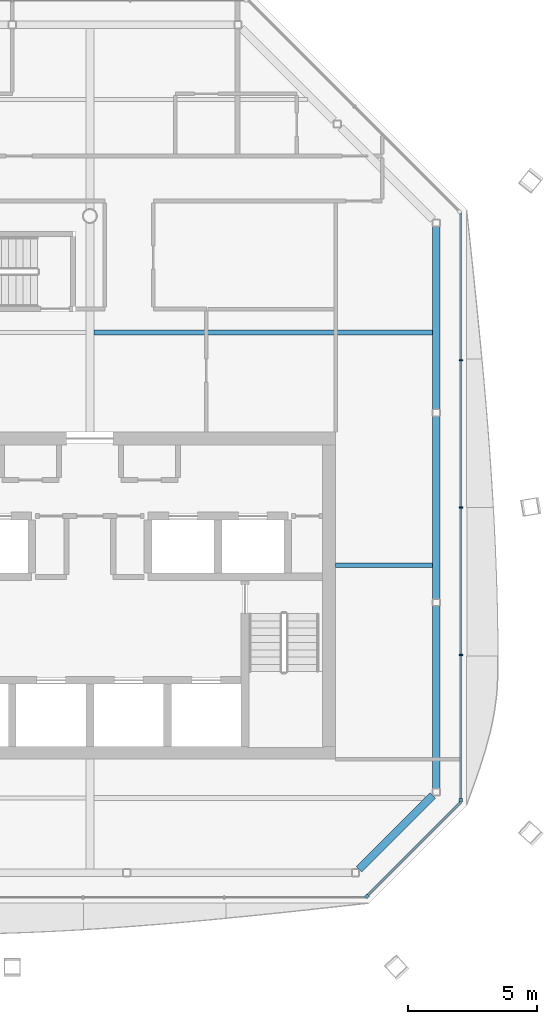
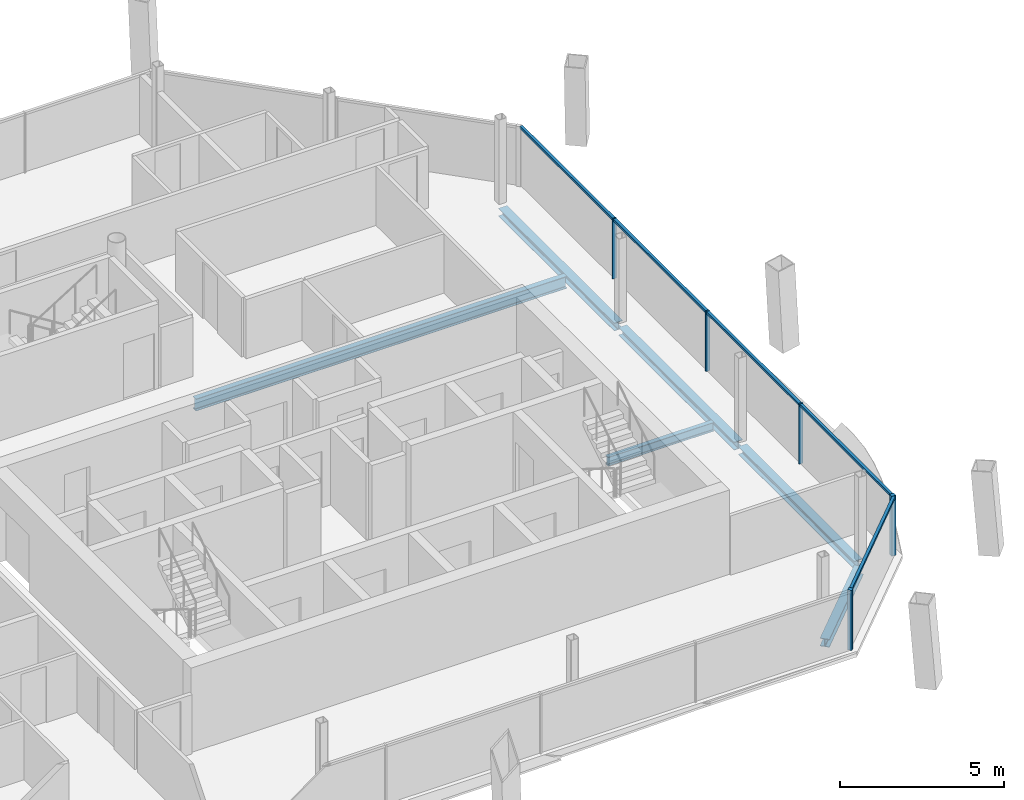
# One storey, part 6 of 16: 10 members, 6 beams, 2 elements without a shape of their own.
"""IFC4 building model written with IfcOpenShell, lengths in metres."""

from ifc_helpers import new_model, si_unit, direction, frame, origin, origin_2d, place, context, subcontext, project, spatial, rectangle, i_section, extrude, material, material_profile, profile_set, type_object, element, aggregate, save


model = new_model("IFC4")

# Units and contexts
model_context = context("Model", 3, precision=1e-05, world=origin(), true_north=direction((0.0, 1.0)))
body_context = subcontext(model_context, "Body", "Model", "MODEL_VIEW")
ifc_project = project(units=[si_unit("LENGTHUNIT", "METRE"), si_unit("AREAUNIT", "SQUARE_METRE"), si_unit("VOLUMEUNIT", "CUBIC_METRE"), si_unit("PLANEANGLEUNIT", "RADIAN"), si_unit("MASSUNIT", "GRAM", prefix="KILO")], contexts=[model_context])

# Site, building, storey
site_placement = place(None, origin())
site = spatial("IfcSite", under=ifc_project, at=site_placement, CompositionType="ELEMENT")
building_placement = place(site_placement, origin())
building = spatial("IfcBuilding", under=site, at=building_placement, Name="Tskaro Facet Tower", CompositionType="ELEMENT")
storey_placement = place(building_placement, frame((0.0, 0.0, 251.85009765625)))
storey = spatial("IfcBuildingStorey", under=building, at=storey_placement, Name="L66", CompositionType="ELEMENT", Elevation=251.85009765625)

# Curtain wall, member
ifc_material_1 = material(Name="Bronze anodised aluminium 6063-T6", Category="aluminium")
curtain_wall_type = type_object("IfcCurtainWallType", Name="Bronze residence curtain wall (FW3)", PredefinedType="NOTDEFINED", material=ifc_material_1)
curtain_wall_1_placement = place(storey_placement, origin())
curtain_wall_1 = element("IfcCurtainWall", 1, at=curtain_wall_1_placement, inside=storey, type_object=curtain_wall_type, Name="FW3 south-east facet L66", PredefinedType="NOTDEFINED")
ifc_material_profile_1 = material_profile(ifc_material_1, rectangle(XDim=0.139892578125, YDim=0.139892578125, at=origin_2d()), Name="Corner post 140x140")
ifc_profile_set_1 = profile_set([ifc_material_profile_1], Name="Bronze anodised aluminium 6063-T6")
member_type_1 = type_object("IfcMemberType", Name="FW3 bronze corner post 140x140", PredefinedType="MULLION", material=ifc_profile_set_1)
member_1_placement = place(storey_placement, frame((10.71044921875, -17.29150390625, 0.0), z_axis=(0.0, 0.0, 1.0), x_axis=(0.707106781187, 0.707106781187, 0.0)))
member_1 = element("IfcMember", 2, at=member_1_placement, type_object=member_type_1, Name="FW3 south-east corner post", PredefinedType="MULLION", context=body_context, shape_type="SweptSolid", body=[
    extrude(rectangle(XDim=0.139892578125, YDim=0.139892578125, at=origin_2d()), origin(), (0.0, 0.0, 1.0), 2.239990234375),
])

# Curtain wall, members
curtain_wall_2_placement = place(storey_placement, origin())
curtain_wall_2 = element("IfcCurtainWall", 3, at=curtain_wall_2_placement, inside=storey, type_object=curtain_wall_type, Name="FW3 east facet L66", PredefinedType="NOTDEFINED")
member_2_placement = place(storey_placement, frame((14.341064453125, -13.591064453125, 0.0), z_axis=(0.0, 0.0, 1.0), x_axis=(0.0, 1.0, 0.0)))
member_2 = element("IfcMember", 4, at=member_2_placement, type_object=member_type_1, Name="FW3 east corner post", PredefinedType="MULLION", context=body_context, shape_type="SweptSolid", body=[
    extrude(rectangle(XDim=0.139892578125, YDim=0.139892578125, at=origin_2d()), origin(), (0.0, 0.0, 1.0), 2.239990234375),
])
ifc_material_profile_2 = material_profile(ifc_material_1, rectangle(XDim=0.050048828125, YDim=0.139892578125, at=origin_2d()), Name="Mullion 50x140")
ifc_profile_set_2 = profile_set([ifc_material_profile_2], Name="Bronze anodised aluminium 6063-T6")
member_type_2 = type_object("IfcMemberType", Name="FW3 bronze mullion 50x140", PredefinedType="MULLION", material=ifc_profile_set_2)
member_3_placement = place(storey_placement, frame((14.341064453125, -7.96630859375, 0.0), z_axis=(0.0, 0.0, 1.0), x_axis=(0.0, 1.0, 0.0)))
member_3 = element("IfcMember", 5, at=member_3_placement, type_object=member_type_2, Name="FW3 east mullion 1", PredefinedType="MULLION", context=body_context, shape_type="SweptSolid", body=[
    extrude(rectangle(XDim=0.050048828125, YDim=0.139892578125, at=origin_2d()), origin(), (0.0, 0.0, 1.0), 2.239990234375),
])
member_4_placement = place(storey_placement, frame((14.341064453125, -2.271484375, 0.0), z_axis=(0.0, 0.0, 1.0), x_axis=(0.0, 1.0, 0.0)))
member_4 = element("IfcMember", 6, at=member_4_placement, type_object=member_type_2, Name="FW3 east mullion 2", PredefinedType="MULLION", context=body_context, shape_type="SweptSolid", body=[
    extrude(rectangle(XDim=0.050048828125, YDim=0.139892578125, at=origin_2d()), origin(), (0.0, 0.0, 1.0), 2.239990234375),
])
member_5_placement = place(storey_placement, frame((14.341064453125, 3.42333984375, 0.0), z_axis=(0.0, 0.0, 1.0), x_axis=(0.0, 1.0, 0.0)))
member_5 = element("IfcMember", 7, at=member_5_placement, type_object=member_type_2, Name="FW3 east mullion 3", PredefinedType="MULLION", context=body_context, shape_type="SweptSolid", body=[
    extrude(rectangle(XDim=0.050048828125, YDim=0.139892578125, at=origin_2d()), origin(), (0.0, 0.0, 1.0), 2.239990234375),
])

# Member
ifc_material_profile_3 = material_profile(ifc_material_1, rectangle(XDim=0.10009765625, YDim=0.090087890625, at=origin_2d()), Name="Transom 100x90")
ifc_profile_set_3 = profile_set([ifc_material_profile_3], Name="Bronze anodised aluminium 6063-T6")
member_type_3 = type_object("IfcMemberType", Name="FW3 bronze transom 100x90", PredefinedType="USERDEFINED", material=ifc_profile_set_3)
member_6_placement = place(storey_placement, frame((10.760009765625, -17.241943359375, 2.19482421875), z_axis=(0.707106781187, 0.707106781187, 0.0), x_axis=(-0.707106781187, 0.707106781187, 0.0)))
member_6 = element("IfcMember", 8, at=member_6_placement, type_object=member_type_3, Name="FW3 south-east transom 1.1", ObjectType="TRANSOM", PredefinedType="USERDEFINED", context=body_context, shape_type="SweptSolid", body=[
    extrude(rectangle(XDim=0.10009765625, YDim=0.090087890625, at=origin_2d()), origin(), (0.0, 0.0, 1.0), 5.064453125),
])

aggregate(curtain_wall_1, [member_1, member_6])

member_7_placement = place(storey_placement, frame((14.341064453125, -13.52099609375, 2.19482421875), z_axis=(0.0, 1.0, 0.0), x_axis=(-1.0, 0.0, 0.0)))
member_7 = element("IfcMember", 9, at=member_7_placement, type_object=member_type_3, Name="FW3 east transom 1.1", ObjectType="TRANSOM", PredefinedType="USERDEFINED", context=body_context, shape_type="SweptSolid", body=[
    extrude(rectangle(XDim=0.10009765625, YDim=0.090087890625, at=origin_2d()), origin(), (0.0, 0.0, 1.0), 5.52978515625),
])

member_8_placement = place(storey_placement, frame((14.341064453125, -7.941162109375, 2.19482421875), z_axis=(0.0, 1.0, 0.0), x_axis=(-1.0, 0.0, 0.0)))
member_8 = element("IfcMember", 10, at=member_8_placement, type_object=member_type_3, Name="FW3 east transom 2.1", ObjectType="TRANSOM", PredefinedType="USERDEFINED", context=body_context, shape_type="SweptSolid", body=[
    extrude(rectangle(XDim=0.10009765625, YDim=0.090087890625, at=origin_2d()), origin(), (0.0, 0.0, 1.0), 5.644775390625),
])

member_9_placement = place(storey_placement, frame((14.341064453125, -2.24658203125, 2.19482421875), z_axis=(0.0, 1.0, 0.0), x_axis=(-1.0, 0.0, 0.0)))
member_9 = element("IfcMember", 11, at=member_9_placement, type_object=member_type_3, Name="FW3 east transom 3.1", ObjectType="TRANSOM", PredefinedType="USERDEFINED", context=body_context, shape_type="SweptSolid", body=[
    extrude(rectangle(XDim=0.10009765625, YDim=0.090087890625, at=origin_2d()), origin(), (0.0, 0.0, 1.0), 5.644775390625),
])

member_10_placement = place(storey_placement, frame((14.341064453125, 3.4482421875, 2.19482421875), z_axis=(0.0, 1.0, 0.0), x_axis=(-1.0, 0.0, 0.0)))
member_10 = element("IfcMember", 12, at=member_10_placement, type_object=member_type_3, Name="FW3 east transom 4.1", ObjectType="TRANSOM", PredefinedType="USERDEFINED", context=body_context, shape_type="SweptSolid", body=[
    extrude(rectangle(XDim=0.10009765625, YDim=0.090087890625, at=origin_2d()), origin(), (0.0, 0.0, 1.0), 5.669677734375),
])

aggregate(curtain_wall_2, [member_2, member_3, member_4, member_5, member_7, member_8, member_9, member_10])

# Beams
ifc_material_2 = material(Name="Steel S355J2", Category="steel")
ifc_material_profile_4 = material_profile(ifc_material_2, i_section(OverallWidth=0.300048828125, OverallDepth=0.300048828125, WebThickness=0.010986328125, FlangeThickness=0.01904296875, FilletRadius=0.027099609375, at=origin_2d()), Name="HE 300 B")
ifc_profile_set_4 = profile_set([ifc_material_profile_4], Name="Steel S355J2")
beam_type_1 = type_object("IfcBeamType", Name="HE 300 B ring beam", PredefinedType="BEAM", material=ifc_profile_set_4)
beam_1_placement = place(storey_placement, frame((10.40380859375, -16.255126953125, -0.2900390625), z_axis=(0.707106781187, 0.707106781187, 0.0), x_axis=(-0.707106781187, 0.707106781187, 0.0)))
element("IfcBeam", 13, at=beam_1_placement, inside=storey, type_object=beam_type_1, Name="HE 300 B EB4-5", PredefinedType="BEAM", context=body_context, shape_type="SweptSolid", body=[
    extrude(i_section(OverallWidth=0.300048828125, OverallDepth=0.300048828125, WebThickness=0.010986328125, FlangeThickness=0.01904296875, FilletRadius=0.027099609375, at=origin_2d()), origin(), (0.0, 0.0, 1.0), 4.032470703125),
])
beam_2_placement = place(storey_placement, frame((13.39111328125, -13.137939453125, -0.2900390625), z_axis=(0.0, 1.0, 0.0), x_axis=(-1.0, 0.0, 0.0)))
element("IfcBeam", 14, at=beam_2_placement, inside=storey, type_object=beam_type_1, Name="HE 300 B EB5-5", PredefinedType="BEAM", context=body_context, shape_type="SweptSolid", body=[
    extrude(i_section(OverallWidth=0.300048828125, OverallDepth=0.300048828125, WebThickness=0.010986328125, FlangeThickness=0.01904296875, FilletRadius=0.027099609375, at=origin_2d()), origin(), (0.0, 0.0, 1.0), 7.071044921875),
])
beam_3_placement = place(storey_placement, frame((13.39111328125, -5.806884765625, -0.2900390625), z_axis=(0.0, 1.0, 0.0), x_axis=(-1.0, 0.0, 0.0)))
element("IfcBeam", 15, at=beam_3_placement, inside=storey, type_object=beam_type_1, Name="HE 300 B EB6-5", PredefinedType="BEAM", context=body_context, shape_type="SweptSolid", body=[
    extrude(i_section(OverallWidth=0.300048828125, OverallDepth=0.300048828125, WebThickness=0.010986328125, FlangeThickness=0.01904296875, FilletRadius=0.027099609375, at=origin_2d()), origin(), (0.0, 0.0, 1.0), 7.07080078125),
])
beam_4_placement = place(storey_placement, frame((13.39111328125, 1.52392578125, -0.2900390625), z_axis=(0.0, 1.0, 0.0), x_axis=(-1.0, 0.0, 0.0)))
element("IfcBeam", 16, at=beam_4_placement, inside=storey, type_object=beam_type_1, Name="HE 300 B EB7-5", PredefinedType="BEAM", context=body_context, shape_type="SweptSolid", body=[
    extrude(i_section(OverallWidth=0.300048828125, OverallDepth=0.300048828125, WebThickness=0.010986328125, FlangeThickness=0.01904296875, FilletRadius=0.027099609375, at=origin_2d()), origin(), (0.0, 0.0, 1.0), 7.071044921875),
])
ifc_material_profile_5 = material_profile(ifc_material_2, i_section(OverallWidth=0.159912109375, OverallDepth=0.330078125, WebThickness=0.007568359375, FlangeThickness=0.011474609375, FilletRadius=0.01806640625, at=origin_2d()), Name="IPE 330")
ifc_profile_set_5 = profile_set([ifc_material_profile_5], Name="Steel S355J2")
beam_type_2 = type_object("IfcBeamType", Name="IPE 330 secondary beam", PredefinedType="BEAM", material=ifc_profile_set_5)
beam_5_placement = place(storey_placement, frame((9.5, -4.5, -0.30517578125), z_axis=(1.0, 0.0, 0.0), x_axis=(0.0, 1.0, 0.0)))
element("IfcBeam", 17, at=beam_5_placement, inside=storey, type_object=beam_type_2, Name="IPE 330 SB3a-2-5", PredefinedType="BEAM", context=body_context, shape_type="SweptSolid", body=[
    extrude(i_section(OverallWidth=0.159912109375, OverallDepth=0.330078125, WebThickness=0.007568359375, FlangeThickness=0.011474609375, FilletRadius=0.01806640625, at=origin_2d()), origin(), (0.0, 0.0, 1.0), 3.740966796875),
])
ifc_material_profile_6 = material_profile(ifc_material_2, i_section(OverallWidth=0.18994140625, OverallDepth=0.449951171875, WebThickness=0.009521484375, FlangeThickness=0.0146484375, FilletRadius=0.02099609375, at=origin_2d()), Name="IPE 450")
ifc_profile_set_6 = profile_set([ifc_material_profile_6], Name="Steel S355J2")
beam_type_3 = type_object("IfcBeamType", Name="IPE 450 long secondary beam", PredefinedType="BEAM", material=ifc_profile_set_6)
beam_6_placement = place(storey_placement, frame((0.14990234375, 4.5, -0.364990234375), z_axis=(1.0, 0.0, 0.0), x_axis=(0.0, 1.0, 0.0)))
element("IfcBeam", 18, at=beam_6_placement, inside=storey, type_object=beam_type_3, Name="IPE 450 LSB4a-3-5", PredefinedType="BEAM", context=body_context, shape_type="SweptSolid", body=[
    extrude(i_section(OverallWidth=0.18994140625, OverallDepth=0.449951171875, WebThickness=0.009521484375, FlangeThickness=0.0146484375, FilletRadius=0.02099609375, at=origin_2d()), origin(), (0.0, 0.0, 1.0), 13.091064453125),
])

save(model, "model.ifc")
